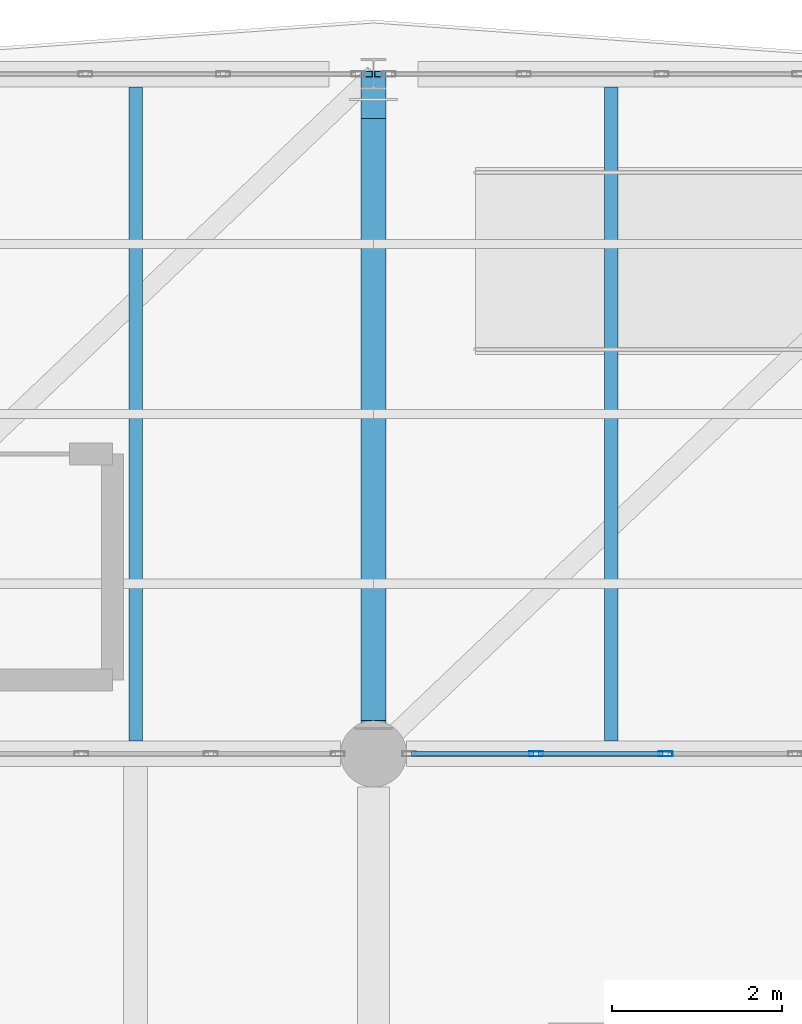
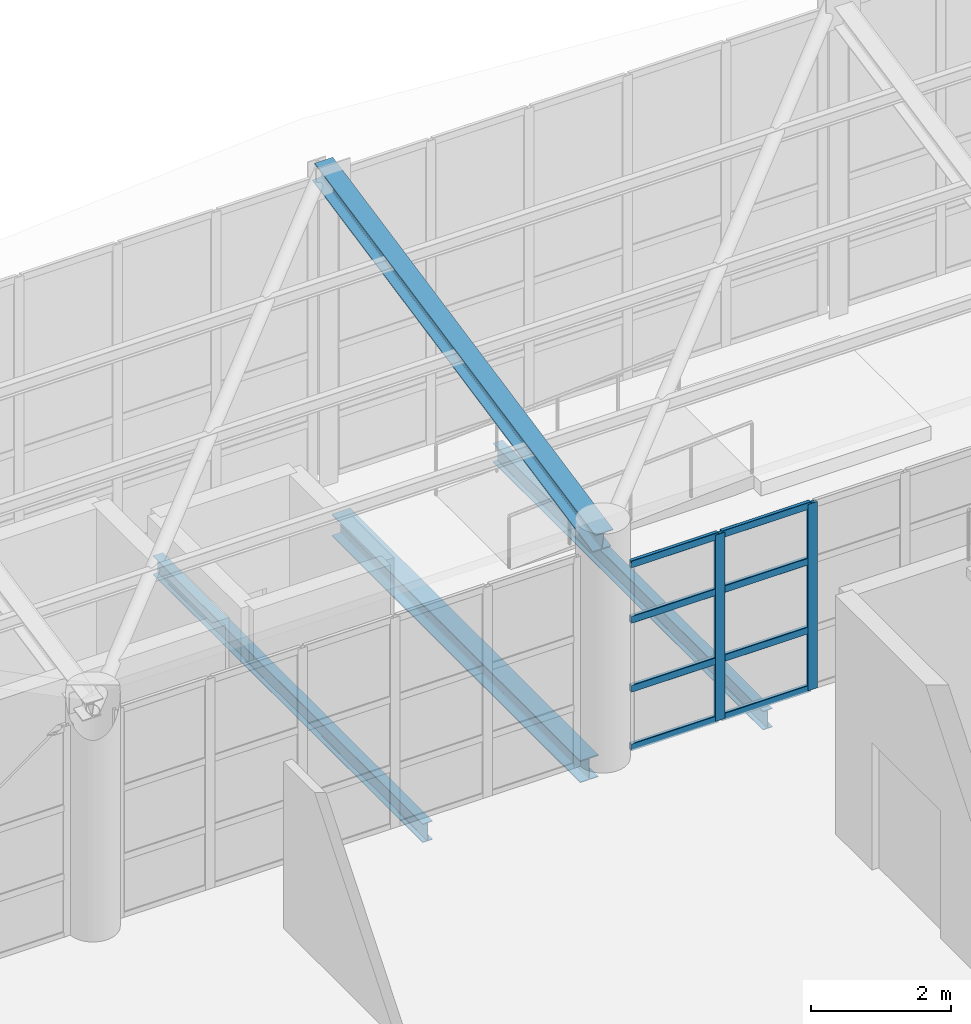
# One storey, part 94 of 177: 11 members, 3 beams, 1 element without a shape of its own.
"""IFC4 building model written with IfcOpenShell, lengths in metres."""

from ifc_helpers import new_model, si_unit, direction, frame, origin, origin_2d, place, context, subcontext, project, spatial, hollow_rectangle, i_section, extrude, material, layer, layer_set, material_profile, profile_set, type_object, element, aggregate, save


model = new_model("IFC4")

# Units and contexts
model_context = context("Model", 3, precision=1e-05, world=origin(), true_north=direction((0.0, 1.0)))
body_context = subcontext(model_context, "Body", "Model", "MODEL_VIEW")
ifc_project = project(units=[si_unit("LENGTHUNIT", "METRE"), si_unit("AREAUNIT", "SQUARE_METRE"), si_unit("VOLUMEUNIT", "CUBIC_METRE"), si_unit("PLANEANGLEUNIT", "RADIAN"), si_unit("MASSUNIT", "GRAM", prefix="KILO"), si_unit("THERMODYNAMICTEMPERATUREUNIT", "KELVIN"), si_unit("POWERUNIT", "WATT")], contexts=[model_context])

# Site, building, storey
site_placement = place(None, origin())
site = spatial("IfcSite", under=ifc_project, at=site_placement, CompositionType="ELEMENT")
building_placement = place(site_placement, origin())
building = spatial("IfcBuilding", under=site, at=building_placement, Name="Mavoryth Pier Ferry Terminal", CompositionType="ELEMENT")
storey_placement = place(building_placement, frame((0.0, 0.0, 5.43994140625)))
storey = spatial("IfcBuildingStorey", under=building, at=storey_placement, Name="L01", CompositionType="ELEMENT", Elevation=5.43994140625)

# Beams
ifc_material_1 = material(Name="Steel S355J2", Category="steel")
ifc_material_profile_1 = material_profile(ifc_material_1, i_section(OverallWidth=0.300048828125, OverallDepth=0.389892578125, WebThickness=0.010986328125, FlangeThickness=0.01904296875, FilletRadius=0.027099609375, at=origin_2d()), Name="HEA 400", Category="steel")
ifc_profile_set_1 = profile_set([ifc_material_profile_1], Name="Steel S355J2 - HEA 400")
beam_type_1 = type_object("IfcBeamType", Name="Beam-Steel-HEA400", PredefinedType="BEAM", material=ifc_profile_set_1)
beam_placement = place(storey_placement, frame((75.60009765625, 106.389892578125, -0.43505859375), z_axis=(0.0, 1.0, 0.0), x_axis=(-1.0, 0.0, 0.0)))
element("IfcBeam", 1, at=beam_placement, inside=storey, type_object=beam_type_1, Name="Beam B01-SB04-0281", PredefinedType="BEAM", context=body_context, shape_type="SweptSolid", body=[
    extrude(i_section(OverallWidth=0.300048828125, OverallDepth=0.389892578125, WebThickness=0.010986328125, FlangeThickness=0.01904296875, FilletRadius=0.027099609375, at=origin_2d()), origin(), (0.0, 0.0, 1.0), 7.085205078125),
])
ifc_material_profile_2 = material_profile(ifc_material_1, i_section(OverallWidth=0.159912109375, OverallDepth=0.330078125, WebThickness=0.007568359375, FlangeThickness=0.011474609375, FilletRadius=0.01806640625, at=origin_2d()), Name="IPE 330", Category="steel")
ifc_profile_set_2 = profile_set([ifc_material_profile_2], Name="Steel S355J2 - IPE 330")
beam_type_2 = type_object("IfcBeamType", Name="Joist-Steel-IPE330", PredefinedType="JOIST", material=ifc_profile_set_2)
for number, where, z_axis, x_axis, name in (
    (2, (72.800048828125, 106.14990234375, -0.405029296875), (0.0, 1.0, 0.0), (-1.0, 0.0, 0.0), "Beam B01-SJ03-0294"),
    (3, (78.39990234375, 106.14990234375, -0.405029296875), (0.0, 1.0, 0.0), (-1.0, 0.0, 0.0), "Beam B01-SJ03-0295"),
):
    element("IfcBeam", number, at=place(storey_placement, frame(where, z_axis=z_axis, x_axis=x_axis)), inside=storey, type_object=beam_type_2, Name=name, PredefinedType="JOIST", context=body_context, shape_type="SweptSolid", body=[
        extrude(i_section(OverallWidth=0.159912109375, OverallDepth=0.330078125, WebThickness=0.007568359375, FlangeThickness=0.011474609375, FilletRadius=0.01806640625, at=origin_2d()), origin(), (0.0, 0.0, 1.0), 7.7001953125),
    ])

# Curtain wall, members
ifc_material_2 = material(Name="Anodised Aluminium and Solar-Control Low-E Glass", Category="aluminium")
ifc_layer = layer(ifc_material_2, 0.159912109375, Name="Anodised Aluminium and Solar-Control Low-E Glass", Category="aluminium")
ifc_layer_set = layer_set([ifc_layer], Name="Anodised Aluminium and Solar-Control Low-E Glass - CW-Arrivals-Mod1400")
curtain_wall_type = type_object("IfcCurtainWallType", Name="CW-Arrivals-Mod1400", PredefinedType="USERDEFINED", material=ifc_layer_set)
curtain_wall_placement = place(storey_placement, origin())
curtain_wall = element("IfcCurtainWall", 4, at=curtain_wall_placement, inside=storey, type_object=curtain_wall_type, Name="Curtain Wall CW-0122-058", ObjectType="UNITISED CURTAIN WALL", PredefinedType="USERDEFINED")
ifc_material_3 = material(Name="Anodised Aluminium EN AW-6063", Category="aluminium")
ifc_material_profile_3 = material_profile(ifc_material_3, hollow_rectangle(XDim=0.06005859375, YDim=0.1650390625, WallThickness=0.00390625, InnerFilletRadius=0.00390625, OuterFilletRadius=0.008056640625, at=origin_2d()), Name="AL-MULL 165x60x4", Category="aluminium")
ifc_profile_set_3 = profile_set([ifc_material_profile_3], Name="Anodised Aluminium EN AW-6063 - AL-MULL 165x60x4")
member_type_1 = type_object("IfcMemberType", Name="Mullion-Alum-165x60", PredefinedType="MULLION", material=ifc_profile_set_3)
member_1_placement = place(storey_placement, frame((79.0380859375, 106.0, 0.0), z_axis=(0.0, 0.0, 1.0), x_axis=(0.0, -1.0, 0.0)))
member_1 = element("IfcMember", 5, at=member_1_placement, type_object=member_type_1, Name="CW04 mullion 4", PredefinedType="MULLION", context=body_context, shape_type="SweptSolid", body=[
    extrude(hollow_rectangle(XDim=0.06005859375, YDim=0.1650390625, WallThickness=0.00390625, InnerFilletRadius=0.00390625, OuterFilletRadius=0.008056640625, at=origin_2d()), origin(), (0.0, 0.0, 1.0), 3.2451171875),
])
member_2_placement = place(storey_placement, frame((77.513916015625, 106.0, 0.0), z_axis=(0.0, 0.0, 1.0), x_axis=(0.0, -1.0, 0.0)))
member_2 = element("IfcMember", 6, at=member_2_placement, type_object=member_type_1, Name="CW04 mullion 5", PredefinedType="MULLION", context=body_context, shape_type="SweptSolid", body=[
    extrude(hollow_rectangle(XDim=0.06005859375, YDim=0.1650390625, WallThickness=0.00390625, InnerFilletRadius=0.00390625, OuterFilletRadius=0.008056640625, at=origin_2d()), origin(), (0.0, 0.0, 1.0), 3.2451171875),
])

# Member
ifc_material_profile_4 = material_profile(ifc_material_1, i_section(OverallWidth=0.300048828125, OverallDepth=0.35009765625, WebThickness=0.010009765625, FlangeThickness=0.017578125, FilletRadius=0.027099609375, at=origin_2d()), Name="HEA 360", Category="steel")
ifc_profile_set_4 = profile_set([ifc_material_profile_4], Name="Steel S355J2 - HEA 360")
member_type_2 = type_object("IfcMemberType", Name="Rafter-Gallery-HEA360", PredefinedType="RAFTER", material=ifc_profile_set_4)
member_3_placement = place(storey_placement, frame((75.60009765625, 106.0, 3.771240234375), z_axis=(0.0, 0.979923097627, 0.199375832882), x_axis=(-1.0, 0.0, 0.0)))
element("IfcMember", 7, at=member_3_placement, inside=storey, type_object=member_type_2, Name="Steel Member MB-L01-0240", PredefinedType="RAFTER", context=body_context, shape_type="SweptSolid", body=[
    extrude(i_section(OverallWidth=0.300048828125, OverallDepth=0.35009765625, WebThickness=0.010009765625, FlangeThickness=0.017578125, FilletRadius=0.027099609375, at=origin_2d()), origin(), (0.0, 0.0, 1.0), 8.163818359375),
])

ifc_material_profile_5 = material_profile(ifc_material_3, hollow_rectangle(XDim=0.06005859375, YDim=0.125, WallThickness=0.00390625, InnerFilletRadius=0.00390625, OuterFilletRadius=0.008056640625, at=origin_2d()), Name="AL-TRAN 125x60x4", Category="aluminium")
ifc_profile_set_5 = profile_set([ifc_material_profile_5], Name="Anodised Aluminium EN AW-6063 - AL-TRAN 125x60x4")
member_type_3 = type_object("IfcMemberType", Name="Transom-Alum-125x60", PredefinedType="USERDEFINED", material=ifc_profile_set_5)
member_4_placement = place(storey_placement, frame((79.008056640625, 106.0, 0.030029296875), z_axis=(-1.0, 0.0, 0.0), x_axis=(0.0, -1.0, 0.0)))
member_4 = element("IfcMember", 8, at=member_4_placement, type_object=member_type_3, Name="CW04 transom 4.1", ObjectType="TRANSOM", PredefinedType="USERDEFINED", context=body_context, shape_type="SweptSolid", body=[
    extrude(hollow_rectangle(XDim=0.06005859375, YDim=0.125, WallThickness=0.00390625, InnerFilletRadius=0.00390625, OuterFilletRadius=0.008056640625, at=origin_2d()), origin(), (0.0, 0.0, 1.0), 1.464111328125),
])

member_5_placement = place(storey_placement, frame((79.008056640625, 106.0, 1.050048828125), z_axis=(-1.0, 0.0, 0.0), x_axis=(0.0, -1.0, 0.0)))
member_5 = element("IfcMember", 9, at=member_5_placement, type_object=member_type_3, Name="CW04 transom 4.2", ObjectType="TRANSOM", PredefinedType="USERDEFINED", context=body_context, shape_type="SweptSolid", body=[
    extrude(hollow_rectangle(XDim=0.06005859375, YDim=0.125, WallThickness=0.00390625, InnerFilletRadius=0.00390625, OuterFilletRadius=0.008056640625, at=origin_2d()), origin(), (0.0, 0.0, 1.0), 1.464111328125),
])

member_6_placement = place(storey_placement, frame((79.008056640625, 106.0, 2.25), z_axis=(-1.0, 0.0, 0.0), x_axis=(0.0, -1.0, 0.0)))
member_6 = element("IfcMember", 10, at=member_6_placement, type_object=member_type_3, Name="CW04 transom 4.3", ObjectType="TRANSOM", PredefinedType="USERDEFINED", context=body_context, shape_type="SweptSolid", body=[
    extrude(hollow_rectangle(XDim=0.06005859375, YDim=0.125, WallThickness=0.00390625, InnerFilletRadius=0.00390625, OuterFilletRadius=0.008056640625, at=origin_2d()), origin(), (0.0, 0.0, 1.0), 1.464111328125),
])

member_7_placement = place(storey_placement, frame((79.008056640625, 106.0, 3.215087890625), z_axis=(-1.0, 0.0, 0.0), x_axis=(0.0, -1.0, 0.0)))
member_7 = element("IfcMember", 11, at=member_7_placement, type_object=member_type_3, Name="CW04 transom 4.4", ObjectType="TRANSOM", PredefinedType="USERDEFINED", context=body_context, shape_type="SweptSolid", body=[
    extrude(hollow_rectangle(XDim=0.06005859375, YDim=0.125, WallThickness=0.00390625, InnerFilletRadius=0.00390625, OuterFilletRadius=0.008056640625, at=origin_2d()), origin(), (0.0, 0.0, 1.0), 1.464111328125),
])

member_8_placement = place(storey_placement, frame((77.48388671875, 106.0, 0.030029296875), z_axis=(-1.0, 0.0, 0.0), x_axis=(0.0, -1.0, 0.0)))
member_8 = element("IfcMember", 12, at=member_8_placement, type_object=member_type_3, Name="CW04 transom 5.1", ObjectType="TRANSOM", PredefinedType="USERDEFINED", context=body_context, shape_type="SweptSolid", body=[
    extrude(hollow_rectangle(XDim=0.06005859375, YDim=0.125, WallThickness=0.00390625, InnerFilletRadius=0.00390625, OuterFilletRadius=0.008056640625, at=origin_2d()), origin(), (0.0, 0.0, 1.0), 1.433837890625),
])

member_9_placement = place(storey_placement, frame((77.48388671875, 106.0, 1.050048828125), z_axis=(-1.0, 0.0, 0.0), x_axis=(0.0, -1.0, 0.0)))
member_9 = element("IfcMember", 13, at=member_9_placement, type_object=member_type_3, Name="CW04 transom 5.2", ObjectType="TRANSOM", PredefinedType="USERDEFINED", context=body_context, shape_type="SweptSolid", body=[
    extrude(hollow_rectangle(XDim=0.06005859375, YDim=0.125, WallThickness=0.00390625, InnerFilletRadius=0.00390625, OuterFilletRadius=0.008056640625, at=origin_2d()), origin(), (0.0, 0.0, 1.0), 1.433837890625),
])

member_10_placement = place(storey_placement, frame((77.48388671875, 106.0, 2.25), z_axis=(-1.0, 0.0, 0.0), x_axis=(0.0, -1.0, 0.0)))
member_10 = element("IfcMember", 14, at=member_10_placement, type_object=member_type_3, Name="CW04 transom 5.3", ObjectType="TRANSOM", PredefinedType="USERDEFINED", context=body_context, shape_type="SweptSolid", body=[
    extrude(hollow_rectangle(XDim=0.06005859375, YDim=0.125, WallThickness=0.00390625, InnerFilletRadius=0.00390625, OuterFilletRadius=0.008056640625, at=origin_2d()), origin(), (0.0, 0.0, 1.0), 1.433837890625),
])

member_11_placement = place(storey_placement, frame((77.48388671875, 106.0, 3.215087890625), z_axis=(-1.0, 0.0, 0.0), x_axis=(0.0, -1.0, 0.0)))
member_11 = element("IfcMember", 15, at=member_11_placement, type_object=member_type_3, Name="CW04 transom 5.4", ObjectType="TRANSOM", PredefinedType="USERDEFINED", context=body_context, shape_type="SweptSolid", body=[
    extrude(hollow_rectangle(XDim=0.06005859375, YDim=0.125, WallThickness=0.00390625, InnerFilletRadius=0.00390625, OuterFilletRadius=0.008056640625, at=origin_2d()), origin(), (0.0, 0.0, 1.0), 1.433837890625),
])

aggregate(curtain_wall, [member_1, member_2, member_4, member_5, member_6, member_7, member_8, member_9, member_10, member_11])

save(model, "model.ifc")
